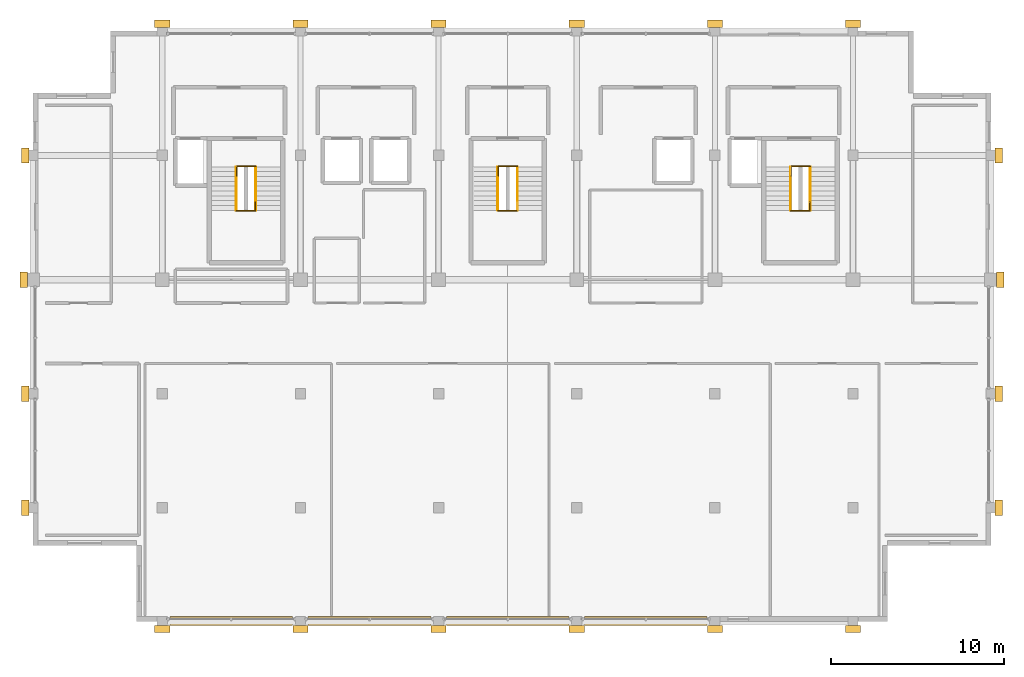
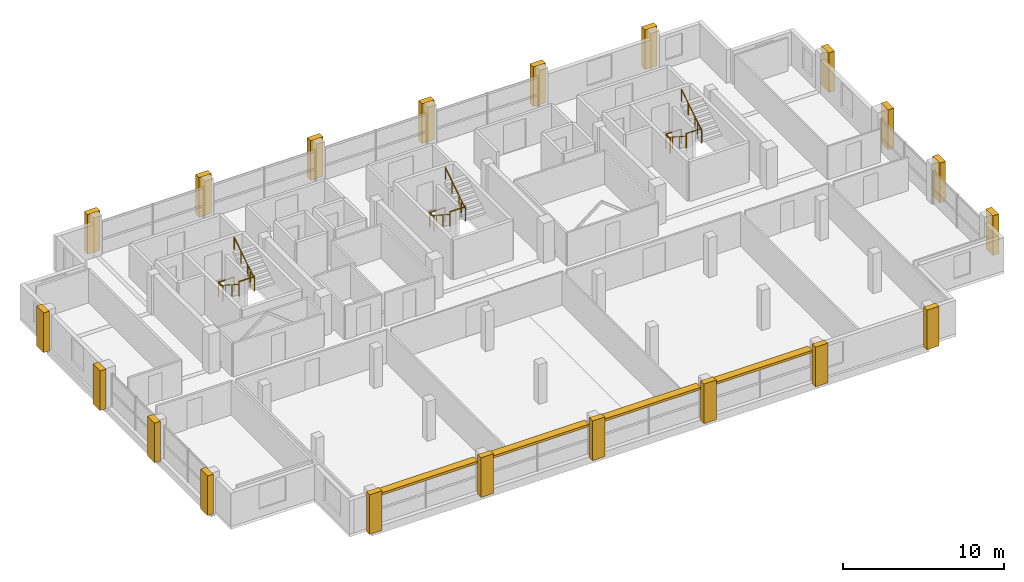
# One storey, part 24 of 24: 20 coverings, 12 railings, 4 shading devices.
"""IFC4 building model written with IfcOpenShell, lengths in metres."""

from ifc_helpers import new_model, si_unit, direction, frame, origin, origin_2d, place, context, subcontext, project, spatial, rectangle, circle, extrude, material, layer, layer_set, type_object, element, save


model = new_model("IFC4")

# Units and contexts
model_context = context("Model", 3, precision=1e-05, world=origin(), true_north=direction((0.0, 1.0)))
body_context = subcontext(model_context, "Body", "Model", "MODEL_VIEW")
ifc_project = project(units=[si_unit("LENGTHUNIT", "METRE"), si_unit("AREAUNIT", "SQUARE_METRE"), si_unit("VOLUMEUNIT", "CUBIC_METRE"), si_unit("PLANEANGLEUNIT", "RADIAN"), si_unit("MASSUNIT", "GRAM", prefix="KILO")], contexts=[model_context])

# Site, building, storey
site_placement = place(None, origin())
site = spatial("IfcSite", under=ifc_project, at=site_placement, CompositionType="ELEMENT")
building_placement = place(site_placement, origin())
building = spatial("IfcBuilding", under=site, at=building_placement, Name="Akrevak Sports Hall", CompositionType="ELEMENT")
storey_placement = place(building_placement, frame((0.0, 0.0, 63.300048828125)))
storey = spatial("IfcBuildingStorey", under=building, at=storey_placement, Name="L16", CompositionType="ELEMENT", Elevation=63.300048828125)

# Coverings
ifc_material_1 = material(Name="Limestone Ashlar", Category="stone")
ifc_layer_1 = layer(ifc_material_1, 0.47998046875, Name="Limestone Ashlar")
ifc_layer_set_1 = layer_set([ifc_layer_1], Name="Limestone Ashlar")
covering_type = type_object("IfcCoveringType", Name="ARC-COV-PIL-LIM", PredefinedType="CLADDING", material=ifc_layer_set_1)
for number, where, z_axis, x_axis, name in (
    (1, (60.0, 34.969970703125, 0.0), (0.0, 0.0, 1.0), (1.0, 0.0, 0.0), "Giant-Order Limestone Pilaster L16-01-01"),
    (2, (68.0, 34.969970703125, 0.0), (0.0, 0.0, 1.0), (1.0, 0.0, 0.0), "Giant-Order Limestone Pilaster L16-01-02"),
    (3, (76.0, 34.969970703125, 0.0), (0.0, 0.0, 1.0), (1.0, 0.0, 0.0), "Giant-Order Limestone Pilaster L16-01-03"),
    (4, (84.0, 34.969970703125, 0.0), (0.0, 0.0, 1.0), (1.0, 0.0, 0.0), "Giant-Order Limestone Pilaster L16-01-04"),
    (5, (92.0, 34.969970703125, 0.0), (0.0, 0.0, 1.0), (1.0, 0.0, 0.0), "Giant-Order Limestone Pilaster L16-01-05"),
    (6, (100.0, 34.969970703125, 0.0), (0.0, 0.0, 1.0), (1.0, 0.0, 0.0), "Giant-Order Limestone Pilaster L16-01-06"),
    (7, (108.429931640625, 42.0, 0.0), (0.0, 0.0, 1.0), (0.0, 1.0, 0.0), "Giant-Order Limestone Pilaster L16-04-07"),
    (8, (108.429931640625, 48.60009765625, 0.0), (0.0, 0.0, 1.0), (0.0, 1.0, 0.0), "Giant-Order Limestone Pilaster L16-04-08"),
    (9, (108.530029296875, 55.199951171875, 0.0), (0.0, 0.0, 1.0), (0.0, 1.0, 0.0), "Giant-Order Limestone Pilaster L16-04-09"),
    (10, (108.429931640625, 62.39990234375, 0.0), (0.0, 0.0, 1.0), (0.0, 1.0, 0.0), "Giant-Order Limestone Pilaster L16-04-10"),
    (11, (60.0, 70.030029296875, 0.0), (0.0, 0.0, 1.0), (-1.0, 0.0, 0.0), "Giant-Order Limestone Pilaster L16-07-11"),
    (12, (68.0, 70.030029296875, 0.0), (0.0, 0.0, 1.0), (-1.0, 0.0, 0.0), "Giant-Order Limestone Pilaster L16-07-12"),
    (13, (76.0, 70.030029296875, 0.0), (0.0, 0.0, 1.0), (-1.0, 0.0, 0.0), "Giant-Order Limestone Pilaster L16-07-13"),
    (14, (84.0, 70.030029296875, 0.0), (0.0, 0.0, 1.0), (-1.0, 0.0, 0.0), "Giant-Order Limestone Pilaster L16-07-14"),
    (15, (92.0, 70.030029296875, 0.0), (0.0, 0.0, 1.0), (-1.0, 0.0, 0.0), "Giant-Order Limestone Pilaster L16-07-15"),
    (16, (100.0, 70.030029296875, 0.0), (0.0, 0.0, 1.0), (-1.0, 0.0, 0.0), "Giant-Order Limestone Pilaster L16-07-16"),
    (17, (52.070068359375, 42.0, 0.0), (0.0, 0.0, 1.0), (0.0, -1.0, 0.0), "Giant-Order Limestone Pilaster L16-10-17"),
    (18, (52.070068359375, 48.60009765625, 0.0), (0.0, 0.0, 1.0), (0.0, -1.0, 0.0), "Giant-Order Limestone Pilaster L16-10-18"),
    (19, (51.969970703125, 55.199951171875, 0.0), (0.0, 0.0, 1.0), (0.0, -1.0, 0.0), "Giant-Order Limestone Pilaster L16-10-19"),
    (20, (52.070068359375, 62.39990234375, 0.0), (0.0, 0.0, 1.0), (0.0, -1.0, 0.0), "Giant-Order Limestone Pilaster L16-10-20"),
):
    element("IfcCovering", number, at=place(storey_placement, frame(where, z_axis=z_axis, x_axis=x_axis)), inside=storey, type_object=covering_type, Name=name, PredefinedType="CLADDING", context=body_context, shape_type="SweptSolid", body=[
        extrude(rectangle(XDim=0.8798828125, YDim=0.419921875, at=origin_2d()), origin(), (0.0, 0.0, 1.0), 3.010009765625),
    ])

# Railings
ifc_material_2 = material(Name="Painted Architectural Balustrade Steel", Category="steel")
ifc_layer_2 = layer(ifc_material_2, 0.06005859375, Name="Painted Architectural Balustrade Steel")
ifc_layer_set_2 = layer_set([ifc_layer_2], Name="Painted Architectural Balustrade Steel")
railing_type_1 = type_object("IfcRailingType", Name="ARC-RL-GRD-1120", PredefinedType="GUARDRAIL", material=ifc_layer_set_2)
railing_1_placement = place(storey_placement, frame((64.31005859375, 61.215087890625, 0.0)))
element("IfcRailing", 21, at=railing_1_placement, inside=storey, type_object=railing_type_1, Name="Stair Floor Landing Well Guard ST1 (L16)", PredefinedType="GUARDRAIL", context=body_context, shape_type="SweptSolid", body=[
    extrude(circle(Radius=0.02392578125, at=origin_2d()), frame((0.0, 0.0, 1.09619140625), z_axis=(0.0, 1.0, 0.0), x_axis=(-1.0, 0.0, 0.0)), (0.0, 0.0, 1.0), 0.5498046875),
    extrude(circle(Radius=0.02392578125, at=origin_2d()), frame((0.0, 0.5498046875, 1.09619140625), z_axis=(1.0, 0.0, 0.0), x_axis=(0.0, 1.0, 0.0)), (0.0, 0.0, 1.0), 1.10986328125),
    extrude(circle(Radius=0.02099609375, at=origin_2d()), origin(), (0.0, 0.0, 1.0), 1.072021484375),
    extrude(circle(Radius=0.02099609375, at=origin_2d()), frame((0.0, 0.5498046875, 0.0)), (0.0, 0.0, 1.0), 1.072021484375),
    extrude(circle(Radius=0.02099609375, at=origin_2d()), frame((1.10986328125, 0.5498046875, 0.0)), (0.0, 0.0, 1.0), 1.072021484375),
])
railing_2_placement = place(storey_placement, frame((64.280029296875, 59.18505859375, 1.625)))
element("IfcRailing", 22, at=railing_2_placement, inside=storey, type_object=railing_type_1, Name="Stair Landing Well Guard ST1-L16-1", PredefinedType="GUARDRAIL", context=body_context, shape_type="SweptSolid", body=[
    extrude(circle(Radius=0.02392578125, at=origin_2d()), frame((0.0, 0.0, 1.09619140625), z_axis=(1.0, 0.0, 0.0), x_axis=(0.0, 1.0, 0.0)), (0.0, 0.0, 1.0), 1.10986328125),
    extrude(circle(Radius=0.02392578125, at=origin_2d()), frame((1.10986328125, 0.0, 1.09619140625), z_axis=(0.0, 1.0, 0.0), x_axis=(-1.0, 0.0, 0.0)), (0.0, 0.0, 1.0), 0.52001953125),
    extrude(circle(Radius=0.02099609375, at=origin_2d()), origin(), (0.0, 0.0, 1.0), 1.072021484375),
    extrude(circle(Radius=0.02099609375, at=origin_2d()), frame((1.10986328125, 0.0, 0.0)), (0.0, 0.0, 1.0), 1.072021484375),
    extrude(circle(Radius=0.02099609375, at=origin_2d()), frame((1.10986328125, 0.52001953125, 0.0)), (0.0, 0.0, 1.0), 1.072021484375),
])
railing_3_placement = place(storey_placement, frame((96.409912109375, 61.215087890625, 0.0)))
element("IfcRailing", 23, at=railing_3_placement, inside=storey, type_object=railing_type_1, Name="Stair Floor Landing Well Guard ST2 (L16)", PredefinedType="GUARDRAIL", context=body_context, shape_type="SweptSolid", body=[
    extrude(circle(Radius=0.02392578125, at=origin_2d()), frame((0.0, 0.0, 1.09619140625), z_axis=(0.0, 1.0, 0.0), x_axis=(-1.0, 0.0, 0.0)), (0.0, 0.0, 1.0), 0.5498046875),
    extrude(circle(Radius=0.02392578125, at=origin_2d()), frame((0.0, 0.5498046875, 1.09619140625), z_axis=(1.0, 0.0, 0.0), x_axis=(0.0, 1.0, 0.0)), (0.0, 0.0, 1.0), 1.110107421875),
    extrude(circle(Radius=0.02099609375, at=origin_2d()), origin(), (0.0, 0.0, 1.0), 1.072021484375),
    extrude(circle(Radius=0.02099609375, at=origin_2d()), frame((0.0, 0.5498046875, 0.0)), (0.0, 0.0, 1.0), 1.072021484375),
    extrude(circle(Radius=0.02099609375, at=origin_2d()), frame((1.110107421875, 0.5498046875, 0.0)), (0.0, 0.0, 1.0), 1.072021484375),
])
railing_4_placement = place(storey_placement, frame((96.3798828125, 59.18505859375, 1.625)))
element("IfcRailing", 24, at=railing_4_placement, inside=storey, type_object=railing_type_1, Name="Stair Landing Well Guard ST2-L16-1", PredefinedType="GUARDRAIL", context=body_context, shape_type="SweptSolid", body=[
    extrude(circle(Radius=0.02392578125, at=origin_2d()), frame((0.0, 0.0, 1.09619140625), z_axis=(1.0, 0.0, 0.0), x_axis=(0.0, 1.0, 0.0)), (0.0, 0.0, 1.0), 1.110107421875),
    extrude(circle(Radius=0.02392578125, at=origin_2d()), frame((1.110107421875, 0.0, 1.09619140625), z_axis=(0.0, 1.0, 0.0), x_axis=(-1.0, 0.0, 0.0)), (0.0, 0.0, 1.0), 0.52001953125),
    extrude(circle(Radius=0.02099609375, at=origin_2d()), origin(), (0.0, 0.0, 1.0), 1.072021484375),
    extrude(circle(Radius=0.02099609375, at=origin_2d()), frame((1.110107421875, 0.0, 0.0)), (0.0, 0.0, 1.0), 1.072021484375),
    extrude(circle(Radius=0.02099609375, at=origin_2d()), frame((1.110107421875, 0.52001953125, 0.0)), (0.0, 0.0, 1.0), 1.072021484375),
])
railing_5_placement = place(storey_placement, frame((79.4599609375, 61.215087890625, 0.0)))
element("IfcRailing", 25, at=railing_5_placement, inside=storey, type_object=railing_type_1, Name="Stair Floor Landing Well Guard ST3 (L16)", PredefinedType="GUARDRAIL", context=body_context, shape_type="SweptSolid", body=[
    extrude(circle(Radius=0.02392578125, at=origin_2d()), frame((0.0, 0.0, 1.09619140625), z_axis=(0.0, 1.0, 0.0), x_axis=(-1.0, 0.0, 0.0)), (0.0, 0.0, 1.0), 0.5498046875),
    extrude(circle(Radius=0.02392578125, at=origin_2d()), frame((0.0, 0.5498046875, 1.09619140625), z_axis=(1.0, 0.0, 0.0), x_axis=(0.0, 1.0, 0.0)), (0.0, 0.0, 1.0), 1.110107421875),
    extrude(circle(Radius=0.02099609375, at=origin_2d()), origin(), (0.0, 0.0, 1.0), 1.072021484375),
    extrude(circle(Radius=0.02099609375, at=origin_2d()), frame((0.0, 0.5498046875, 0.0)), (0.0, 0.0, 1.0), 1.072021484375),
    extrude(circle(Radius=0.02099609375, at=origin_2d()), frame((1.110107421875, 0.5498046875, 0.0)), (0.0, 0.0, 1.0), 1.072021484375),
])
railing_6_placement = place(storey_placement, frame((79.429931640625, 59.18505859375, 1.625)))
element("IfcRailing", 26, at=railing_6_placement, inside=storey, type_object=railing_type_1, Name="Stair Landing Well Guard ST3-L16-1", PredefinedType="GUARDRAIL", context=body_context, shape_type="SweptSolid", body=[
    extrude(circle(Radius=0.02392578125, at=origin_2d()), frame((0.0, 0.0, 1.09619140625), z_axis=(1.0, 0.0, 0.0), x_axis=(0.0, 1.0, 0.0)), (0.0, 0.0, 1.0), 1.110107421875),
    extrude(circle(Radius=0.02392578125, at=origin_2d()), frame((1.110107421875, 0.0, 1.09619140625), z_axis=(0.0, 1.0, 0.0), x_axis=(-1.0, 0.0, 0.0)), (0.0, 0.0, 1.0), 0.52001953125),
    extrude(circle(Radius=0.02099609375, at=origin_2d()), origin(), (0.0, 0.0, 1.0), 1.072021484375),
    extrude(circle(Radius=0.02099609375, at=origin_2d()), frame((1.110107421875, 0.0, 0.0)), (0.0, 0.0, 1.0), 1.072021484375),
    extrude(circle(Radius=0.02099609375, at=origin_2d()), frame((1.110107421875, 0.52001953125, 0.0)), (0.0, 0.0, 1.0), 1.072021484375),
])
ifc_material_3 = material(Name="Brushed Stainless Steel 304", Category="steel")
ifc_layer_3 = layer(ifc_material_3, 0.050048828125, Name="Brushed Stainless Steel 304")
ifc_layer_set_3 = layer_set([ifc_layer_3], Name="Brushed Stainless Steel 304")
railing_type_2 = type_object("IfcRailingType", Name="ARC-RL-HND-900", PredefinedType="HANDRAIL", material=ifc_layer_set_3)
railing_7_placement = place(storey_placement, frame((64.280029296875, 61.735107421875, 0.0)))
element("IfcRailing", 27, at=railing_7_placement, inside=storey, type_object=railing_type_2, Name="Stair Handrail ST1-L16-F1", PredefinedType="HANDRAIL", context=body_context, shape_type="SweptSolid", body=[
    extrude(circle(Radius=0.02392578125, at=origin_2d()), frame((0.0, 0.0, 0.8759765625), z_axis=(0.0, -0.840421059866, 0.541933983188), x_axis=(1.0, 0.0, 0.0)), (0.0, 0.0, 1.0), 2.99853515625),
    extrude(circle(Radius=0.02099609375, at=origin_2d()), origin(), (0.0, 0.0, 1.0), 0.851806640625),
    extrude(circle(Radius=0.02099609375, at=origin_2d()), frame((0.0, -0.840087890625, 0.541748046875)), (0.0, 0.0, 1.0), 0.851806640625),
    extrude(circle(Radius=0.02099609375, at=origin_2d()), frame((0.0, -1.679931640625, 1.083251953125)), (0.0, 0.0, 1.0), 0.851806640625),
    extrude(circle(Radius=0.02099609375, at=origin_2d()), frame((0.0, -2.52001953125, 1.625)), (0.0, 0.0, 1.0), 0.851806640625),
])
railing_8_placement = place(storey_placement, frame((65.419921875, 59.215087890625, 1.625)))
element("IfcRailing", 28, at=railing_8_placement, inside=storey, type_object=railing_type_2, Name="Stair Handrail ST1-L16-F2", PredefinedType="HANDRAIL", context=body_context, shape_type="SweptSolid", body=[
    extrude(circle(Radius=0.02392578125, at=origin_2d()), frame((0.0, 0.0, 0.8759765625), z_axis=(0.0, 0.840421059866, 0.541933983188), x_axis=(-1.0, 0.0, 0.0)), (0.0, 0.0, 1.0), 2.99853515625),
    extrude(circle(Radius=0.02099609375, at=origin_2d()), origin(), (0.0, 0.0, 1.0), 0.851806640625),
    extrude(circle(Radius=0.02099609375, at=origin_2d()), frame((0.0, 0.840087890625, 0.541748046875)), (0.0, 0.0, 1.0), 0.851806640625),
    extrude(circle(Radius=0.02099609375, at=origin_2d()), frame((0.0, 1.679931640625, 1.083251953125)), (0.0, 0.0, 1.0), 0.851806640625),
    extrude(circle(Radius=0.02099609375, at=origin_2d()), frame((0.0, 2.52001953125, 1.625)), (0.0, 0.0, 1.0), 0.851806640625),
])
railing_9_placement = place(storey_placement, frame((96.3798828125, 61.735107421875, 0.0)))
element("IfcRailing", 29, at=railing_9_placement, inside=storey, type_object=railing_type_2, Name="Stair Handrail ST2-L16-F1", PredefinedType="HANDRAIL", context=body_context, shape_type="SweptSolid", body=[
    extrude(circle(Radius=0.02392578125, at=origin_2d()), frame((0.0, 0.0, 0.8759765625), z_axis=(0.0, -0.840421059866, 0.541933983188), x_axis=(1.0, 0.0, 0.0)), (0.0, 0.0, 1.0), 2.99853515625),
    extrude(circle(Radius=0.02099609375, at=origin_2d()), origin(), (0.0, 0.0, 1.0), 0.851806640625),
    extrude(circle(Radius=0.02099609375, at=origin_2d()), frame((0.0, -0.840087890625, 0.541748046875)), (0.0, 0.0, 1.0), 0.851806640625),
    extrude(circle(Radius=0.02099609375, at=origin_2d()), frame((0.0, -1.679931640625, 1.083251953125)), (0.0, 0.0, 1.0), 0.851806640625),
    extrude(circle(Radius=0.02099609375, at=origin_2d()), frame((0.0, -2.52001953125, 1.625)), (0.0, 0.0, 1.0), 0.851806640625),
])
railing_10_placement = place(storey_placement, frame((97.52001953125, 59.215087890625, 1.625)))
element("IfcRailing", 30, at=railing_10_placement, inside=storey, type_object=railing_type_2, Name="Stair Handrail ST2-L16-F2", PredefinedType="HANDRAIL", context=body_context, shape_type="SweptSolid", body=[
    extrude(circle(Radius=0.02392578125, at=origin_2d()), frame((0.0, 0.0, 0.8759765625), z_axis=(0.0, 0.840421059866, 0.541933983188), x_axis=(-1.0, 0.0, 0.0)), (0.0, 0.0, 1.0), 2.99853515625),
    extrude(circle(Radius=0.02099609375, at=origin_2d()), origin(), (0.0, 0.0, 1.0), 0.851806640625),
    extrude(circle(Radius=0.02099609375, at=origin_2d()), frame((0.0, 0.840087890625, 0.541748046875)), (0.0, 0.0, 1.0), 0.851806640625),
    extrude(circle(Radius=0.02099609375, at=origin_2d()), frame((0.0, 1.679931640625, 1.083251953125)), (0.0, 0.0, 1.0), 0.851806640625),
    extrude(circle(Radius=0.02099609375, at=origin_2d()), frame((0.0, 2.52001953125, 1.625)), (0.0, 0.0, 1.0), 0.851806640625),
])
railing_11_placement = place(storey_placement, frame((79.429931640625, 61.735107421875, 0.0)))
element("IfcRailing", 31, at=railing_11_placement, inside=storey, type_object=railing_type_2, Name="Stair Handrail ST3-L16-F1", PredefinedType="HANDRAIL", context=body_context, shape_type="SweptSolid", body=[
    extrude(circle(Radius=0.02392578125, at=origin_2d()), frame((0.0, 0.0, 0.8759765625), z_axis=(0.0, -0.840421059866, 0.541933983188), x_axis=(1.0, 0.0, 0.0)), (0.0, 0.0, 1.0), 2.99853515625),
    extrude(circle(Radius=0.02099609375, at=origin_2d()), origin(), (0.0, 0.0, 1.0), 0.851806640625),
    extrude(circle(Radius=0.02099609375, at=origin_2d()), frame((0.0, -0.840087890625, 0.541748046875)), (0.0, 0.0, 1.0), 0.851806640625),
    extrude(circle(Radius=0.02099609375, at=origin_2d()), frame((0.0, -1.679931640625, 1.083251953125)), (0.0, 0.0, 1.0), 0.851806640625),
    extrude(circle(Radius=0.02099609375, at=origin_2d()), frame((0.0, -2.52001953125, 1.625)), (0.0, 0.0, 1.0), 0.851806640625),
])
railing_12_placement = place(storey_placement, frame((80.570068359375, 59.215087890625, 1.625)))
element("IfcRailing", 32, at=railing_12_placement, inside=storey, type_object=railing_type_2, Name="Stair Handrail ST3-L16-F2", PredefinedType="HANDRAIL", context=body_context, shape_type="SweptSolid", body=[
    extrude(circle(Radius=0.02392578125, at=origin_2d()), frame((0.0, 0.0, 0.8759765625), z_axis=(0.0, 0.840421059866, 0.541933983188), x_axis=(-1.0, 0.0, 0.0)), (0.0, 0.0, 1.0), 2.99853515625),
    extrude(circle(Radius=0.02099609375, at=origin_2d()), origin(), (0.0, 0.0, 1.0), 0.851806640625),
    extrude(circle(Radius=0.02099609375, at=origin_2d()), frame((0.0, 0.840087890625, 0.541748046875)), (0.0, 0.0, 1.0), 0.851806640625),
    extrude(circle(Radius=0.02099609375, at=origin_2d()), frame((0.0, 1.679931640625, 1.083251953125)), (0.0, 0.0, 1.0), 0.851806640625),
    extrude(circle(Radius=0.02099609375, at=origin_2d()), frame((0.0, 2.52001953125, 1.625)), (0.0, 0.0, 1.0), 0.851806640625),
])

# Shading devices
ifc_material_4 = material(Name="Anodized Bronze Aluminium", Category="aluminium")
shading_device_type = type_object("IfcShadingDeviceType", Name="ARC-SHD-BRZ-300", PredefinedType="JALOUSIE", material=ifc_material_4)
for number, where, z_axis, x_axis, name in (
    (33, (64.0, 35.43994140625, 2.33984375), (0.0, 0.0, 1.0), (1.0, 0.0, 0.0), "Tower Bronze Louvre SH-31"),
    (34, (72.0, 35.43994140625, 2.33984375), (0.0, 0.0, 1.0), (1.0, 0.0, 0.0), "Tower Bronze Louvre SH-32"),
    (35, (80.0, 35.43994140625, 2.33984375), (0.0, 0.0, 1.0), (1.0, 0.0, 0.0), "Tower Bronze Louvre SH-33"),
    (36, (88.0, 35.43994140625, 2.33984375), (0.0, 0.0, 1.0), (1.0, 0.0, 0.0), "Tower Bronze Louvre SH-34"),
):
    element("IfcShadingDevice", number, at=place(storey_placement, frame(where, z_axis=z_axis, x_axis=x_axis)), inside=storey, type_object=shading_device_type, Name=name, PredefinedType="JALOUSIE", context=body_context, shape_type="SweptSolid", body=[
        extrude(rectangle(XDim=7.10400390625, YDim=0.5400390625, at=origin_2d()), origin(), (0.0, 0.0, 1.0), 0.179931640625),
    ])

save(model, "model.ifc")
